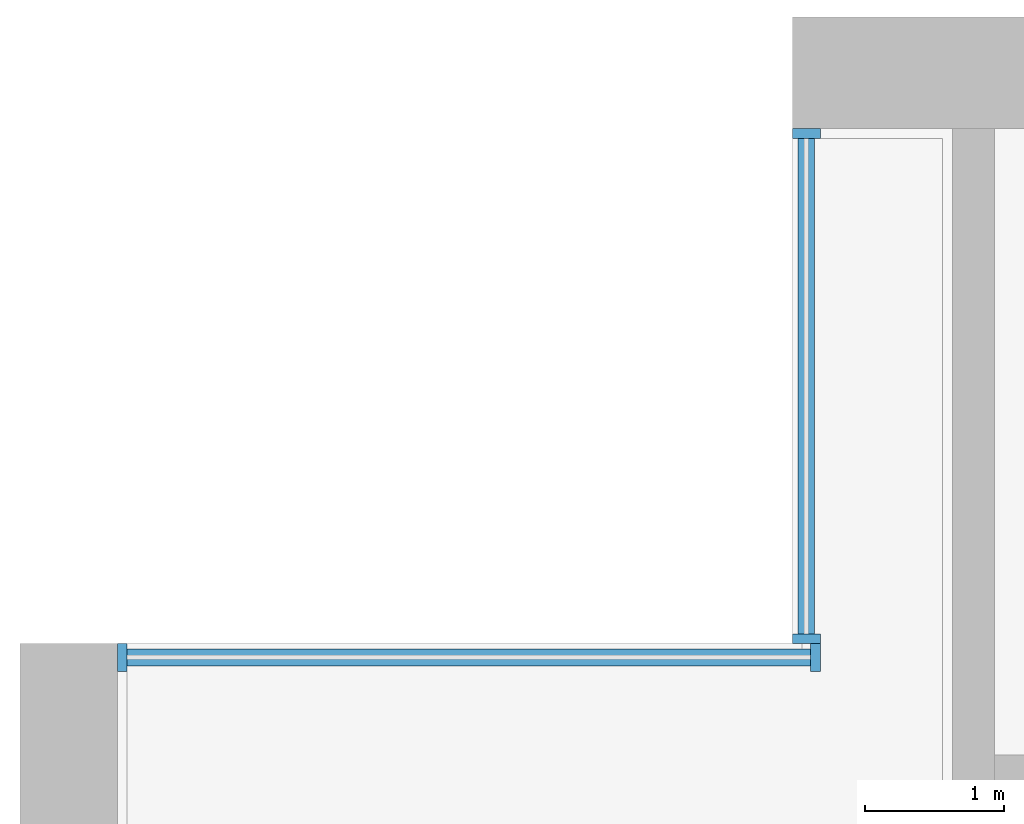
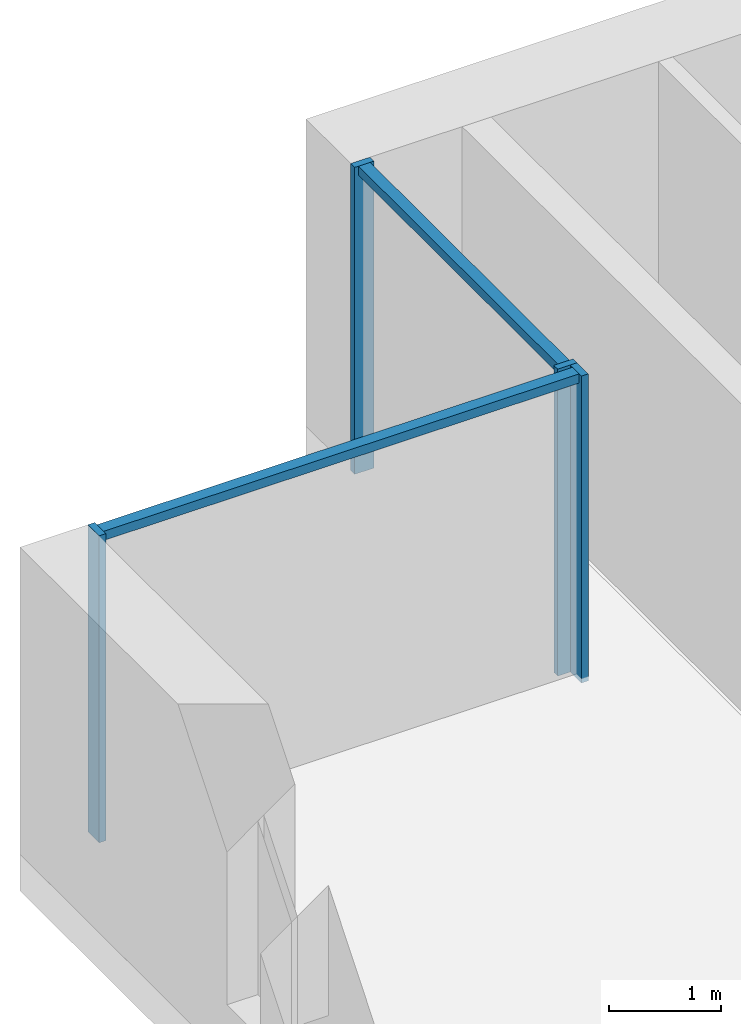
# One storey, part 4 of 15: 6 members, 2 elements without a shape of their own.
"""IFC4 building model written with IfcOpenShell, lengths in metres."""

from ifc_helpers import new_model, si_unit, direction, frame, origin, origin_2d, place, context, subcontext, project, spatial, rectangle, extrude, material, material_profile, profile_set, type_object, element, aggregate, save


model = new_model("IFC4")

# Units and contexts
model_context = context("Model", 3, precision=1e-05, world=origin(), true_north=direction((0.0, 1.0)))
body_context = subcontext(model_context, "Body", "Model", "MODEL_VIEW")
ifc_project = project(units=[si_unit("LENGTHUNIT", "METRE"), si_unit("AREAUNIT", "SQUARE_METRE"), si_unit("VOLUMEUNIT", "CUBIC_METRE"), si_unit("PLANEANGLEUNIT", "RADIAN"), si_unit("MASSUNIT", "GRAM", prefix="KILO")], contexts=[model_context])

# Site, building, storey
site_placement = place(None, origin())
site = spatial("IfcSite", under=ifc_project, at=site_placement, CompositionType="ELEMENT")
building_placement = place(site_placement, origin())
building = spatial("IfcBuilding", under=site, at=building_placement, Name="Calvaro Tower", CompositionType="ELEMENT")
storey_placement = place(building_placement, frame((0.0, 0.0, 125.0)))
storey = spatial("IfcBuildingStorey", under=building, at=storey_placement, Name="L31", CompositionType="ELEMENT", Elevation=125.0)

# Curtain wall, members
ifc_material_1 = material(Name="Anodised aluminium", Category="aluminium")
curtain_wall_type = type_object("IfcCurtainWallType", Name="Office curtain wall, middle zone", PredefinedType="NOTDEFINED", material=ifc_material_1)
curtain_wall_1_placement = place(storey_placement, origin())
curtain_wall_1 = element("IfcCurtainWall", 1, at=curtain_wall_1_placement, inside=storey, type_object=curtain_wall_type, Name="CW2 corner curtain wall", PredefinedType="NOTDEFINED")
ifc_material_2 = material(Name="Anodised aluminium", Category="aluminium")
ifc_material_profile_1 = material_profile(ifc_material_2, rectangle(XDim=0.199951171875, YDim=0.070068359375, at=origin_2d()), Name="Mullion S2 70 x 200")
ifc_profile_set_1 = profile_set([ifc_material_profile_1], Name="Anodised aluminium")
member_type_1 = type_object("IfcMemberType", Name="Mullion S2 70 x 200", PredefinedType="MULLION", material=ifc_profile_set_1)
member_1_placement = place(storey_placement, frame((5.64990234375, 41.534912109375, 0.0), z_axis=(0.0, 0.0, 1.0), x_axis=(-1.0, 0.0, 0.0)))
member_1 = element("IfcMember", 2, at=member_1_placement, type_object=member_type_1, Name="CW2 mullion 1", PredefinedType="MULLION", context=body_context, shape_type="SweptSolid", body=[
    extrude(rectangle(XDim=0.199951171875, YDim=0.070068359375, at=origin_2d()), origin(), (0.0, 0.0, 1.0), 3.35009765625),
])
member_2_placement = place(storey_placement, frame((5.64990234375, 45.1650390625, 0.0), z_axis=(0.0, 0.0, 1.0), x_axis=(-1.0, 0.0, 0.0)))
member_2 = element("IfcMember", 3, at=member_2_placement, type_object=member_type_1, Name="CW2 mullion 2", PredefinedType="MULLION", context=body_context, shape_type="SweptSolid", body=[
    extrude(rectangle(XDim=0.199951171875, YDim=0.070068359375, at=origin_2d()), origin(), (0.0, 0.0, 1.0), 3.35009765625),
])

curtain_wall_2_placement = place(storey_placement, origin())
curtain_wall_2 = element("IfcCurtainWall", 4, at=curtain_wall_2_placement, inside=storey, type_object=curtain_wall_type, Name="CW2 corner curtain wall", PredefinedType="NOTDEFINED")
member_3_placement = place(storey_placement, frame((0.735107421875, 41.39990234375, 0.0), z_axis=(0.0, 0.0, 1.0), x_axis=(0.0, 1.0, 0.0)))
member_3 = element("IfcMember", 5, at=member_3_placement, type_object=member_type_1, Name="CW2 mullion 1", PredefinedType="MULLION", context=body_context, shape_type="SweptSolid", body=[
    extrude(rectangle(XDim=0.199951171875, YDim=0.070068359375, at=origin_2d()), origin(), (0.0, 0.0, 1.0), 3.35009765625),
])
member_4_placement = place(storey_placement, frame((5.715087890625, 41.39990234375, 0.0), z_axis=(0.0, 0.0, 1.0), x_axis=(0.0, 1.0, 0.0)))
member_4 = element("IfcMember", 6, at=member_4_placement, type_object=member_type_1, Name="CW2 mullion 2", PredefinedType="MULLION", context=body_context, shape_type="SweptSolid", body=[
    extrude(rectangle(XDim=0.199951171875, YDim=0.070068359375, at=origin_2d()), origin(), (0.0, 0.0, 1.0), 3.35009765625),
])

# Member
ifc_material_3 = material(Name="Anodised aluminium", Category="aluminium")
ifc_material_profile_2 = material_profile(ifc_material_3, rectangle(XDim=0.1201171875, YDim=0.10009765625, at=origin_2d()), Name="Transom S2 100 x 120")
ifc_profile_set_2 = profile_set([ifc_material_profile_2], Name="Anodised aluminium")
member_type_2 = type_object("IfcMemberType", Name="Transom S2 100 x 120", PredefinedType="USERDEFINED", material=ifc_profile_set_2)
member_5_placement = place(storey_placement, frame((5.64990234375, 41.570068359375, 3.300048828125), z_axis=(0.0, 1.0, 0.0), x_axis=(-1.0, 0.0, 0.0)))
member_5 = element("IfcMember", 7, at=member_5_placement, type_object=member_type_2, Name="CW2 transom 1.1", ObjectType="TRANSOM", PredefinedType="USERDEFINED", context=body_context, shape_type="SweptSolid", body=[
    extrude(rectangle(XDim=0.1201171875, YDim=0.10009765625, at=origin_2d()), origin(), (0.0, 0.0, 1.0), 3.559814453125),
])

aggregate(curtain_wall_1, [member_1, member_2, member_5])

member_6_placement = place(storey_placement, frame((0.77001953125, 41.39990234375, 3.300048828125), z_axis=(1.0, 0.0, 0.0), x_axis=(0.0, 1.0, 0.0)))
member_6 = element("IfcMember", 8, at=member_6_placement, type_object=member_type_2, Name="CW2 transom 1.1", ObjectType="TRANSOM", PredefinedType="USERDEFINED", context=body_context, shape_type="SweptSolid", body=[
    extrude(rectangle(XDim=0.1201171875, YDim=0.10009765625, at=origin_2d()), origin(), (0.0, 0.0, 1.0), 4.909912109375),
])

aggregate(curtain_wall_2, [member_3, member_4, member_6])

save(model, "model.ifc")
